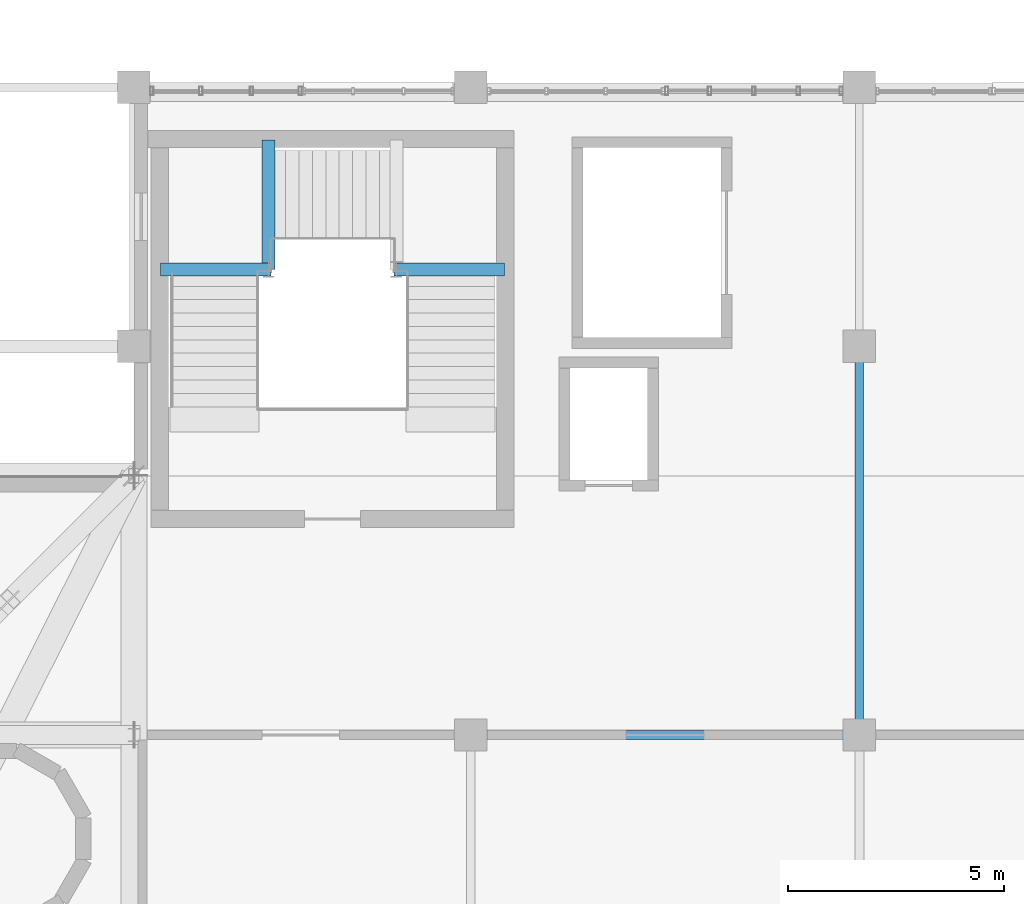
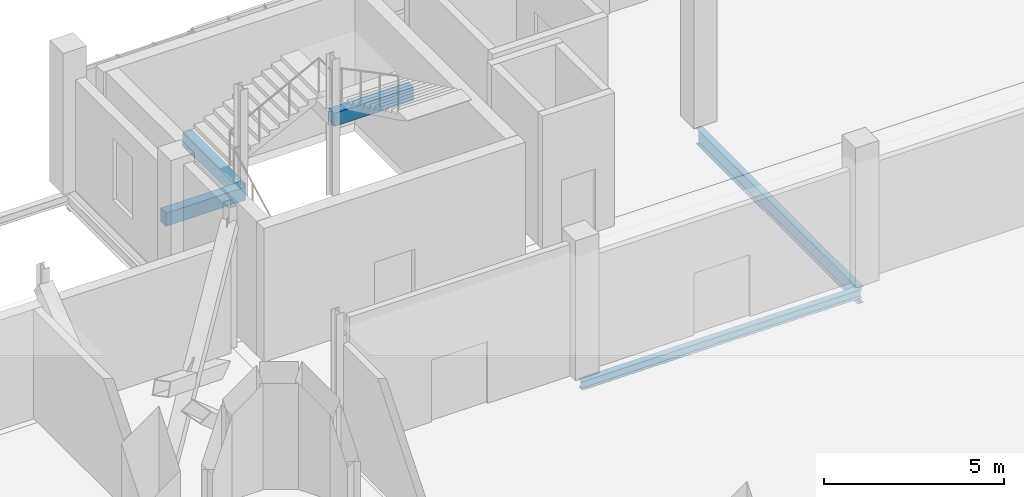
# One storey, part 62 of 127: 5 beams.
"""IFC4 building model written with IfcOpenShell, lengths in metres."""

from ifc_helpers import new_model, si_unit, derived_unit, direction, frame, origin, origin_2d, place, context, subcontext, project, spatial, rectangle, i_section, extrude, material, material_profile, profile_set, type_object, element, save


model = new_model("IFC4")

# Units and contexts
model_context = context("Model", 3, precision=1e-05, world=origin(), true_north=direction((0.0, 1.0)))
body_context = subcontext(model_context, "Body", "Model", "MODEL_VIEW")
ifc_project = project(units=[si_unit("LENGTHUNIT", "METRE"), si_unit("AREAUNIT", "SQUARE_METRE"), si_unit("VOLUMEUNIT", "CUBIC_METRE"), si_unit("PLANEANGLEUNIT", "RADIAN"), si_unit("MASSUNIT", "GRAM", prefix="KILO"), derived_unit("THERMALTRANSMITTANCEUNIT", [(si_unit("POWERUNIT", "WATT"), 1), (si_unit("LENGTHUNIT", "METRE"), -2), (si_unit("THERMODYNAMICTEMPERATUREUNIT", "KELVIN"), -1)])], contexts=[model_context])

# Site, building, storey
site_placement = place(None, origin())
site = spatial("IfcSite", under=ifc_project, at=site_placement, CompositionType="ELEMENT")
building_placement = place(site_placement, origin())
building = spatial("IfcBuilding", under=site, at=building_placement, Name="Nallur Shell Playhouse", CompositionType="ELEMENT")
storey_placement = place(building_placement, frame((0.0, 0.0, 5.39990234375)))
storey = spatial("IfcBuildingStorey", under=building, at=storey_placement, Name="L02", CompositionType="ELEMENT", Elevation=5.39990234375)

# Beams
ifc_material_1 = material(Name="Concrete M35", Category="concrete")
ifc_material_profile_1 = material_profile(ifc_material_1, rectangle(XDim=0.300048828125, YDim=0.449951171875, at=origin_2d()), Name="RC 300x450")
ifc_profile_set_1 = profile_set([ifc_material_profile_1], Name="Concrete M35")
beam_type_1 = type_object("IfcBeamType", Name="BM-SPN-300x450", PredefinedType="SPANDREL", material=ifc_profile_set_1)
beam_1_placement = place(storey_placement, frame((119.219970703125, 51.780029296875, 1.22509765625), z_axis=(1.0, 0.0, 0.0), x_axis=(0.0, 1.0, 0.0)))
element("IfcBeam", 1, at=beam_1_placement, inside=storey, type_object=beam_type_1, Name="Stair ST-02-L02 L1 south bearer beam", PredefinedType="SPANDREL", context=body_context, shape_type="SweptSolid", body=[
    extrude(rectangle(XDim=0.300048828125, YDim=0.449951171875, at=origin_2d()), origin(), (0.0, 0.0, 1.0), 2.56005859375),
])
beam_2_placement = place(storey_placement, frame((121.719970703125, 51.780029296875, 1.22509765625), z_axis=(0.0, 1.0, 0.0), x_axis=(-1.0, 0.0, 0.0)))
element("IfcBeam", 2, at=beam_2_placement, inside=storey, type_object=beam_type_1, Name="Stair ST-02-L02 L1 east bearer beam", PredefinedType="SPANDREL", context=body_context, shape_type="SweptSolid", body=[
    extrude(rectangle(XDim=0.300048828125, YDim=0.449951171875, at=origin_2d()), origin(), (0.0, 0.0, 1.0), 3.0),
])
beam_3_placement = place(storey_placement, frame((124.6201171875, 51.780029296875, 2.72509765625), z_axis=(1.0, 0.0, 0.0), x_axis=(0.0, 1.0, 0.0)))
element("IfcBeam", 3, at=beam_3_placement, inside=storey, type_object=beam_type_1, Name="Stair ST-02-L02 L2 south bearer beam", PredefinedType="SPANDREL", context=body_context, shape_type="SweptSolid", body=[
    extrude(rectangle(XDim=0.300048828125, YDim=0.449951171875, at=origin_2d()), origin(), (0.0, 0.0, 1.0), 2.559814453125),
])
ifc_material_2 = material(Name="Steel E350", Category="steel")
ifc_material_profile_2 = material_profile(ifc_material_2, i_section(OverallWidth=0.18994140625, OverallDepth=0.550048828125, WebThickness=0.01123046875, FlangeThickness=0.019287109375, FilletRadius=0.01806640625, at=origin_2d()), Name="ISMB 550")
ifc_profile_set_2 = profile_set([ifc_material_profile_2], Name="Steel E350")
beam_type_2 = type_object("IfcBeamType", Name="BM-ST-ISMB550", PredefinedType="BEAM", material=ifc_profile_set_2)
beam_4_placement = place(storey_placement, frame((135.39990234375, 41.0, -0.554931640625), z_axis=(0.0, 1.0, 0.0), x_axis=(-1.0, 0.0, 0.0)))
element("IfcBeam", 4, at=beam_4_placement, inside=storey, type_object=beam_type_2, Name="L02 girder Y-17-457", PredefinedType="BEAM", context=body_context, shape_type="SweptSolid", body=[
    extrude(i_section(OverallWidth=0.18994140625, OverallDepth=0.550048828125, WebThickness=0.01123046875, FlangeThickness=0.019287109375, FilletRadius=0.01806640625, at=origin_2d()), origin(), (0.0, 0.0, 1.0), 9.0),
])
ifc_material_3 = material(Name="Steel E250", Category="steel")
ifc_material_profile_3 = material_profile(ifc_material_3, i_section(OverallWidth=0.199951171875, OverallDepth=0.300048828125, WebThickness=0.00732421875, FlangeThickness=0.010009765625, FilletRadius=0.010986328125, at=origin_2d()), Name="ISWB 300")
ifc_profile_set_3 = profile_set([ifc_material_profile_3], Name="Steel E250")
beam_type_3 = type_object("IfcBeamType", Name="BM-ST-ISWB300", PredefinedType="BEAM", material=ifc_profile_set_3)
beam_5_placement = place(storey_placement, frame((126.39990234375, 41.0, -0.429931640625), z_axis=(1.0, 0.0, 0.0), x_axis=(0.0, 1.0, 0.0)))
element("IfcBeam", 5, at=beam_5_placement, inside=storey, type_object=beam_type_3, Name="L02 girder X-E-343", PredefinedType="BEAM", context=body_context, shape_type="SweptSolid", body=[
    extrude(i_section(OverallWidth=0.199951171875, OverallDepth=0.300048828125, WebThickness=0.00732421875, FlangeThickness=0.010009765625, FilletRadius=0.010986328125, at=origin_2d()), origin(), (0.0, 0.0, 1.0), 9.0),
])

save(model, "model.ifc")
